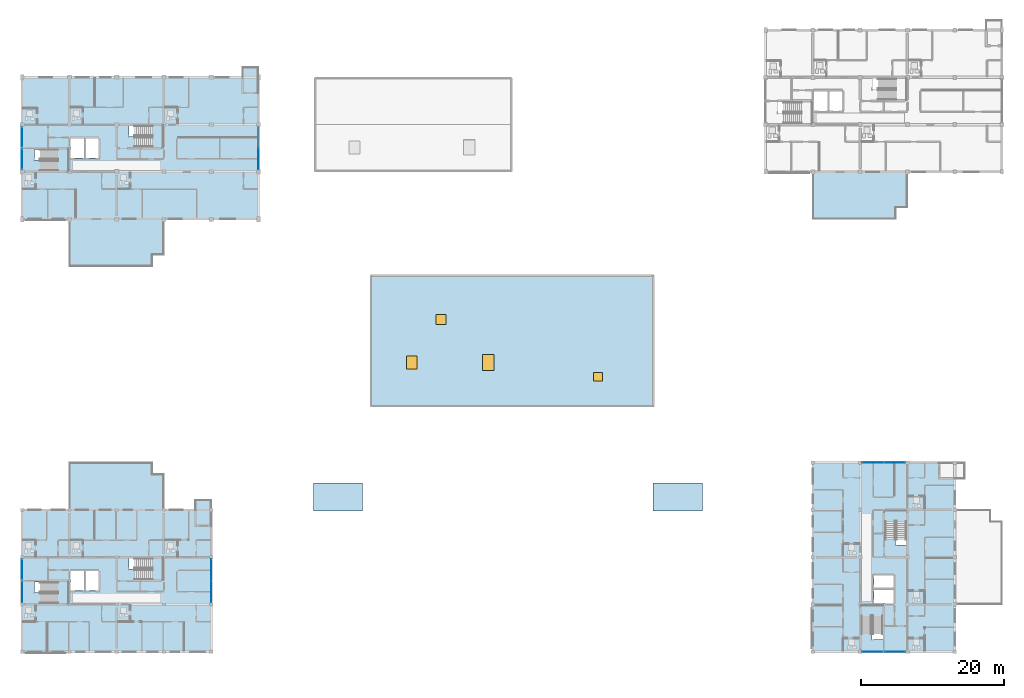
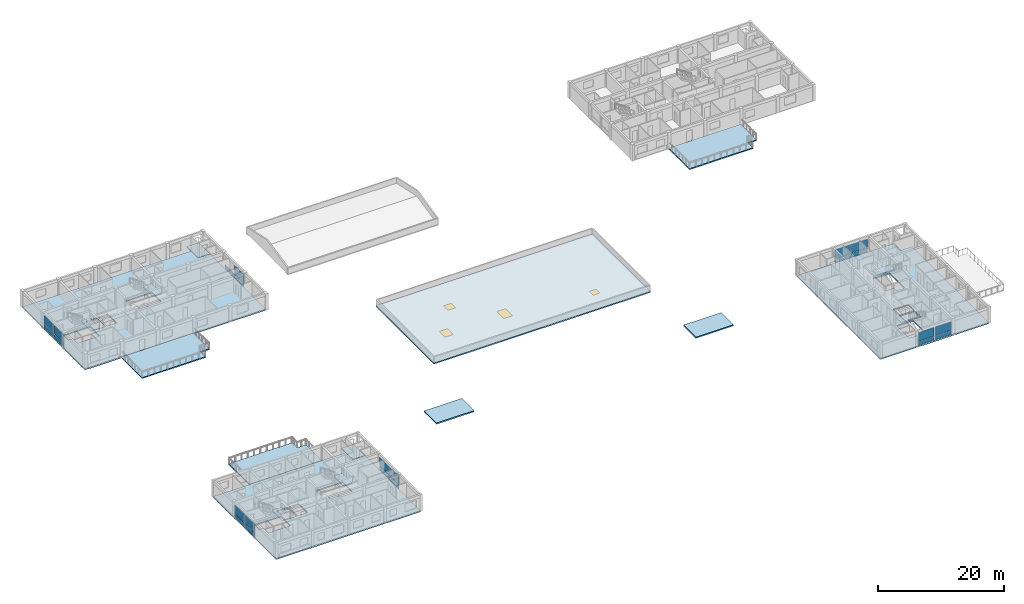
# One storey, part 24 of 51: 23 plates, 17 slabs, 4 windows, 4 openings, 15 elements without a shape of their own.
"""IFC4 building model written with IfcOpenShell, lengths in metres."""

from ifc_helpers import new_model, si_unit, direction, frame, origin, origin_2d, place, context, subcontext, project, spatial, polyline, rectangle, outline, extrude, material, layer, layer_set, type_object, element, fill, aggregate, save


model = new_model("IFC4")

# Units and contexts
model_context = context("Model", 3, precision=1e-05, world=origin(), true_north=direction((0.0, 1.0)))
body_context = subcontext(model_context, "Body", "Model", "MODEL_VIEW")
ifc_project = project(units=[si_unit("LENGTHUNIT", "METRE"), si_unit("AREAUNIT", "SQUARE_METRE"), si_unit("VOLUMEUNIT", "CUBIC_METRE"), si_unit("PLANEANGLEUNIT", "RADIAN"), si_unit("MASSUNIT", "GRAM", prefix="KILO")], contexts=[model_context])

# Site, building, storey
site_placement = place(None, origin())
site = spatial("IfcSite", under=ifc_project, at=site_placement, CompositionType="ELEMENT")
building_placement = place(site_placement, origin())
building = spatial("IfcBuilding", under=site, at=building_placement, Name="Kernevlak Ridge Housing Community", CompositionType="ELEMENT")
storey_placement = place(building_placement, frame((0.0, 0.0, 8.39990234375)))
storey = spatial("IfcBuildingStorey", under=building, at=storey_placement, Name="L02", CompositionType="ELEMENT", Elevation=8.39990234375)

# Curtain wall, plates
ifc_material_1 = material(Name="Aluminium EN AW-6060 anodised and laminated glass", Category="aluminium")
curtain_wall_type_1 = type_object("IfcCurtainWallType", Name="CW-12", PredefinedType="NOTDEFINED", material=ifc_material_1)
curtain_wall_1_placement = place(storey_placement, origin())
curtain_wall_1 = element("IfcCurtainWall", 1, at=curtain_wall_1_placement, inside=storey, type_object=curtain_wall_type_1, Name="Curtain wall CW-12 CW-L02-009", PredefinedType="NOTDEFINED")
ifc_material_2 = material(Name="Aluminium EN AW-5005 enamelled panel", Category="aluminium")
ifc_layer_1 = layer(ifc_material_2, 0.033935546875, Name="Aluminium EN AW-5005 enamelled panel")
ifc_layer_set_1 = layer_set([ifc_layer_1], Name="Aluminium EN AW-5005 enamelled panel")
plate_type_1 = type_object("IfcPlateType", Name="CP-03", PredefinedType="CURTAIN_PANEL", material=ifc_layer_set_1)
plate_1_placement = place(storey_placement, frame((48.60009765625, 84.413818359375, 0.05517578125), z_axis=(0.0, 0.0, 1.0), x_axis=(0.0, 1.0, 0.0)))
plate_1 = element("IfcPlate", 2, at=plate_1_placement, type_object=plate_type_1, Name="CW-12 panel 1.1", PredefinedType="CURTAIN_PANEL", context=body_context, shape_type="SweptSolid", body=[
    extrude(rectangle(XDim=2.91748046875, YDim=0.033935546875, at=origin_2d()), origin(), (0.0, 0.0, 1.0), 0.767578125),
])
plate_2_placement = place(storey_placement, frame((48.60009765625, 87.38623046875, 0.05517578125), z_axis=(0.0, 0.0, 1.0), x_axis=(0.0, 1.0, 0.0)))
plate_2 = element("IfcPlate", 3, at=plate_2_placement, type_object=plate_type_1, Name="CW-12 panel 2.1", PredefinedType="CURTAIN_PANEL", context=body_context, shape_type="SweptSolid", body=[
    extrude(rectangle(XDim=2.91748046875, YDim=0.033935546875, at=origin_2d()), origin(), (0.0, 0.0, 1.0), 0.767578125),
])

# Curtain wall, plate
curtain_wall_type_2 = type_object("IfcCurtainWallType", Name="CW-07", PredefinedType="NOTDEFINED", material=ifc_material_1)
curtain_wall_2_placement = place(storey_placement, origin())
curtain_wall_2 = element("IfcCurtainWall", 4, at=curtain_wall_2_placement, inside=storey, type_object=curtain_wall_type_2, Name="Curtain wall CW-07 CW-L02-106", PredefinedType="NOTDEFINED")
plate_3_placement = place(storey_placement, frame((134.320068359375, 15.60009765625, 0.06005859375), z_axis=(0.0, 0.0, 1.0), x_axis=(1.0, 0.0, 0.0)))
plate_3 = element("IfcPlate", 5, at=plate_3_placement, type_object=plate_type_1, Name="CW-07 panel 1.1", PredefinedType="CURTAIN_PANEL", context=body_context, shape_type="SweptSolid", body=[
    extrude(rectangle(XDim=2.820068359375, YDim=0.033935546875, at=origin_2d()), origin(), (0.0, 0.0, 1.0), 0.760009765625),
])

curtain_wall_3_placement = place(storey_placement, origin())
curtain_wall_3 = element("IfcCurtainWall", 6, at=curtain_wall_3_placement, inside=storey, type_object=curtain_wall_type_1, Name="Curtain wall CW-12 CW-L02-107", PredefinedType="NOTDEFINED")
ifc_layer_2 = layer(ifc_material_2, 0.0380859375, Name="Aluminium EN AW-5005 enamelled panel")
ifc_layer_set_2 = layer_set([ifc_layer_2], Name="Aluminium EN AW-5005 enamelled panel")
plate_type_2 = type_object("IfcPlateType", Name="CP-04", PredefinedType="CURTAIN_PANEL", material=ifc_layer_set_2)
plate_4_placement = place(storey_placement, frame((137.47998046875, 15.60009765625, 0.065185546875), z_axis=(0.0, 0.0, 1.0), x_axis=(1.0, 0.0, 0.0)))
plate_4 = element("IfcPlate", 7, at=plate_4_placement, type_object=plate_type_2, Name="CW-12 panel 1.1", PredefinedType="CURTAIN_PANEL", context=body_context, shape_type="SweptSolid", body=[
    extrude(rectangle(XDim=2.81005859375, YDim=0.0380859375, at=origin_2d()), origin(), (0.0, 0.0, 1.0), 0.75244140625),
])

curtain_wall_type_3 = type_object("IfcCurtainWallType", Name="CW-10", PredefinedType="NOTDEFINED", material=ifc_material_1)
curtain_wall_4_placement = place(storey_placement, origin())
curtain_wall_4 = element("IfcCurtainWall", 8, at=curtain_wall_4_placement, inside=storey, type_object=curtain_wall_type_3, Name="Curtain wall CW-10 CW-L02-145", PredefinedType="NOTDEFINED")
plate_5_placement = place(storey_placement, frame((15.60009765625, 23.907470703125, 0.06005859375), z_axis=(0.0, 0.0, 1.0), x_axis=(0.0, 1.0, 0.0)))
plate_5 = element("IfcPlate", 9, at=plate_5_placement, type_object=plate_type_2, Name="CW-10 panel 1.1", PredefinedType="CURTAIN_PANEL", context=body_context, shape_type="SweptSolid", body=[
    extrude(rectangle(XDim=2.844970703125, YDim=0.0380859375, at=origin_2d()), origin(), (0.0, 0.0, 1.0), 0.760009765625),
])

# Curtain wall, plates
curtain_wall_type_4 = type_object("IfcCurtainWallType", Name="CW-02", PredefinedType="NOTDEFINED", material=ifc_material_1)
curtain_wall_5_placement = place(storey_placement, origin())
curtain_wall_5 = element("IfcCurtainWall", 10, at=curtain_wall_5_placement, inside=storey, type_object=curtain_wall_type_4, Name="Curtain wall CW-02 CW-L02-108", PredefinedType="NOTDEFINED")
ifc_layer_3 = layer(ifc_material_2, 0.0419921875, Name="Aluminium EN AW-5005 enamelled panel")
ifc_layer_set_3 = layer_set([ifc_layer_3], Name="Aluminium EN AW-5005 enamelled panel")
plate_type_3 = type_object("IfcPlateType", Name="CP-05", PredefinedType="CURTAIN_PANEL", material=ifc_layer_set_3)
plate_6_placement = place(storey_placement, frame((134.388671875, 42.0, 0.05517578125), z_axis=(0.0, 0.0, 1.0), x_axis=(1.0, 0.0, 0.0)))
plate_6 = element("IfcPlate", 11, at=plate_6_placement, type_object=plate_type_3, Name="CW-02 panel 1.1", PredefinedType="CURTAIN_PANEL", context=body_context, shape_type="SweptSolid", body=[
    extrude(rectangle(XDim=2.967529296875, YDim=0.0419921875, at=origin_2d()), origin(), (0.0, 0.0, 1.0), 0.767578125),
])
plate_7_placement = place(storey_placement, frame((137.4111328125, 42.0, 0.05517578125), z_axis=(0.0, 0.0, 1.0), x_axis=(1.0, 0.0, 0.0)))
plate_7 = element("IfcPlate", 12, at=plate_7_placement, type_object=plate_type_3, Name="CW-02 panel 2.1", PredefinedType="CURTAIN_PANEL", context=body_context, shape_type="SweptSolid", body=[
    extrude(rectangle(XDim=2.967529296875, YDim=0.0419921875, at=origin_2d()), origin(), (0.0, 0.0, 1.0), 0.767578125),
])

# Curtain wall, plate
curtain_wall_type_5 = type_object("IfcCurtainWallType", Name="CW-01", PredefinedType="NOTDEFINED", material=ifc_material_1)
curtain_wall_6_placement = place(storey_placement, origin())
curtain_wall_6 = element("IfcCurtainWall", 13, at=curtain_wall_6_placement, inside=storey, type_object=curtain_wall_type_5, Name="Curtain wall CW-01 CW-L02-146", PredefinedType="NOTDEFINED")
plate_8_placement = place(storey_placement, frame((15.60009765625, 27.092529296875, 0.065185546875), z_axis=(0.0, 0.0, 1.0), x_axis=(0.0, 1.0, 0.0)))
plate_8 = element("IfcPlate", 14, at=plate_8_placement, type_object=plate_type_3, Name="CW-01 panel 1.1", PredefinedType="CURTAIN_PANEL", context=body_context, shape_type="SweptSolid", body=[
    extrude(rectangle(XDim=2.8349609375, YDim=0.0419921875, at=origin_2d()), origin(), (0.0, 0.0, 1.0), 0.75244140625),
])

curtain_wall_7_placement = place(storey_placement, origin())
curtain_wall_7 = element("IfcCurtainWall", 15, at=curtain_wall_7_placement, inside=storey, type_object=curtain_wall_type_5, Name="Curtain wall CW-01 CW-L02-007", PredefinedType="NOTDEFINED")
ifc_material_3 = material(Name="Aluminium EN AW-5005 insulated panel", Category="aluminium")
ifc_layer_4 = layer(ifc_material_3, 0.0458984375, Name="Aluminium EN AW-5005 insulated panel")
ifc_layer_set_4 = layer_set([ifc_layer_4], Name="Aluminium EN AW-5005 insulated panel")
plate_type_4 = type_object("IfcPlateType", Name="CP-06", PredefinedType="CURTAIN_PANEL", material=ifc_layer_set_4)
plate_9_placement = place(storey_placement, frame((15.60009765625, 84.344970703125, 0.06005859375), z_axis=(0.0, 0.0, 1.0), x_axis=(0.0, 1.0, 0.0)))
plate_9 = element("IfcPlate", 16, at=plate_9_placement, type_object=plate_type_4, Name="CW-01 panel 1.1", PredefinedType="CURTAIN_PANEL", context=body_context, shape_type="SweptSolid", body=[
    extrude(rectangle(XDim=2.77001953125, YDim=0.0458984375, at=origin_2d()), origin(), (0.0, 0.0, 1.0), 0.760009765625),
])

# Curtain wall, plates
curtain_wall_type_6 = type_object("IfcCurtainWallType", Name="CW-04", PredefinedType="NOTDEFINED", material=ifc_material_1)
curtain_wall_8_placement = place(storey_placement, origin())
curtain_wall_8 = element("IfcCurtainWall", 17, at=curtain_wall_8_placement, inside=storey, type_object=curtain_wall_type_6, Name="Curtain wall CW-04 CW-L02-147", PredefinedType="NOTDEFINED")
plate_10_placement = place(storey_placement, frame((42.0, 23.976318359375, 0.05517578125), z_axis=(0.0, 0.0, 1.0), x_axis=(0.0, 1.0, 0.0)))
plate_10 = element("IfcPlate", 18, at=plate_10_placement, type_object=plate_type_4, Name="CW-04 panel 1.1", PredefinedType="CURTAIN_PANEL", context=body_context, shape_type="SweptSolid", body=[
    extrude(rectangle(XDim=2.992431640625, YDim=0.0458984375, at=origin_2d()), origin(), (0.0, 0.0, 1.0), 0.767578125),
])
plate_11_placement = place(storey_placement, frame((42.0, 27.023681640625, 0.05517578125), z_axis=(0.0, 0.0, 1.0), x_axis=(0.0, 1.0, 0.0)))
plate_11 = element("IfcPlate", 19, at=plate_11_placement, type_object=plate_type_4, Name="CW-04 panel 2.1", PredefinedType="CURTAIN_PANEL", context=body_context, shape_type="SweptSolid", body=[
    extrude(rectangle(XDim=2.992431640625, YDim=0.0458984375, at=origin_2d()), origin(), (0.0, 0.0, 1.0), 0.767578125),
])

# Curtain wall, plate
curtain_wall_type_7 = type_object("IfcCurtainWallType", Name="CW-06", PredefinedType="NOTDEFINED", material=ifc_material_1)
curtain_wall_9_placement = place(storey_placement, origin())
curtain_wall_9 = element("IfcCurtainWall", 20, at=curtain_wall_9_placement, inside=storey, type_object=curtain_wall_type_7, Name="Curtain wall CW-06 CW-L02-008", PredefinedType="NOTDEFINED")
ifc_layer_5 = layer(ifc_material_3, 0.050048828125, Name="Aluminium EN AW-5005 insulated panel")
ifc_layer_set_5 = layer_set([ifc_layer_5], Name="Aluminium EN AW-5005 insulated panel")
plate_type_5 = type_object("IfcPlateType", Name="CP-07", PredefinedType="CURTAIN_PANEL", material=ifc_layer_set_5)
plate_12_placement = place(storey_placement, frame((15.60009765625, 87.455078125, 0.065185546875), z_axis=(0.0, 0.0, 1.0), x_axis=(0.0, 1.0, 0.0)))
plate_12 = element("IfcPlate", 21, at=plate_12_placement, type_object=plate_type_5, Name="CW-06 panel 1.1", PredefinedType="CURTAIN_PANEL", context=body_context, shape_type="SweptSolid", body=[
    extrude(rectangle(XDim=2.760009765625, YDim=0.050048828125, at=origin_2d()), origin(), (0.0, 0.0, 1.0), 0.75244140625),
])

# Plate
ifc_material_4 = material(Name="Low-iron clear staircase glazing panel", Category="glass")
ifc_layer_6 = layer(ifc_material_4, 0.031982421875, Name="Low-iron clear staircase glazing panel")
ifc_layer_set_6 = layer_set([ifc_layer_6], Name="Low-iron clear staircase glazing panel")
plate_type_6 = type_object("IfcPlateType", Name="CP-08", PredefinedType="CURTAIN_PANEL", material=ifc_layer_set_6)
plate_13_placement = place(storey_placement, frame((15.60009765625, 84.344970703125, 0.88037109375), z_axis=(0.0, 0.0, 1.0), x_axis=(0.0, 1.0, 0.0)))
plate_13 = element("IfcPlate", 22, at=plate_13_placement, type_object=plate_type_6, Name="CW-01 panel 1.2", PredefinedType="CURTAIN_PANEL", context=body_context, shape_type="SweptSolid", body=[
    extrude(rectangle(XDim=2.77001953125, YDim=0.031982421875, at=origin_2d()), origin(), (0.0, 0.0, 1.0), 1.659912109375),
])

aggregate(curtain_wall_7, [plate_9, plate_13])

plate_14_placement = place(storey_placement, frame((15.60009765625, 87.455078125, 0.88232421875), z_axis=(0.0, 0.0, 1.0), x_axis=(0.0, 1.0, 0.0)))
plate_14 = element("IfcPlate", 23, at=plate_14_placement, type_object=plate_type_6, Name="CW-06 panel 1.2", PredefinedType="CURTAIN_PANEL", context=body_context, shape_type="SweptSolid", body=[
    extrude(rectangle(XDim=2.760009765625, YDim=0.031982421875, at=origin_2d()), origin(), (0.0, 0.0, 1.0), 1.652587890625),
])

aggregate(curtain_wall_9, [plate_12, plate_14])

plate_15_placement = place(storey_placement, frame((48.60009765625, 84.413818359375, 0.877685546875), z_axis=(0.0, 0.0, 1.0), x_axis=(0.0, 1.0, 0.0)))
plate_15 = element("IfcPlate", 24, at=plate_15_placement, type_object=plate_type_6, Name="CW-12 panel 1.2", PredefinedType="CURTAIN_PANEL", context=body_context, shape_type="SweptSolid", body=[
    extrude(rectangle(XDim=2.91748046875, YDim=0.031982421875, at=origin_2d()), origin(), (0.0, 0.0, 1.0), 1.66748046875),
])

aggregate(curtain_wall_1, [plate_1, plate_15, plate_2])

plate_16_placement = place(storey_placement, frame((134.320068359375, 15.60009765625, 0.88037109375), z_axis=(0.0, 0.0, 1.0), x_axis=(1.0, 0.0, 0.0)))
plate_16 = element("IfcPlate", 25, at=plate_16_placement, type_object=plate_type_6, Name="CW-07 panel 1.2", PredefinedType="CURTAIN_PANEL", context=body_context, shape_type="SweptSolid", body=[
    extrude(rectangle(XDim=2.820068359375, YDim=0.031982421875, at=origin_2d()), origin(), (0.0, 0.0, 1.0), 1.659912109375),
])

aggregate(curtain_wall_2, [plate_3, plate_16])

plate_17_placement = place(storey_placement, frame((137.47998046875, 15.60009765625, 0.88232421875), z_axis=(0.0, 0.0, 1.0), x_axis=(1.0, 0.0, 0.0)))
plate_17 = element("IfcPlate", 26, at=plate_17_placement, type_object=plate_type_6, Name="CW-12 panel 1.2", PredefinedType="CURTAIN_PANEL", context=body_context, shape_type="SweptSolid", body=[
    extrude(rectangle(XDim=2.81005859375, YDim=0.031982421875, at=origin_2d()), origin(), (0.0, 0.0, 1.0), 1.652587890625),
])

aggregate(curtain_wall_3, [plate_4, plate_17])

plate_18_placement = place(storey_placement, frame((134.388671875, 42.0, 0.877685546875), z_axis=(0.0, 0.0, 1.0), x_axis=(1.0, 0.0, 0.0)))
plate_18 = element("IfcPlate", 27, at=plate_18_placement, type_object=plate_type_6, Name="CW-02 panel 1.2", PredefinedType="CURTAIN_PANEL", context=body_context, shape_type="SweptSolid", body=[
    extrude(rectangle(XDim=2.967529296875, YDim=0.031982421875, at=origin_2d()), origin(), (0.0, 0.0, 1.0), 1.66748046875),
])

plate_19_placement = place(storey_placement, frame((137.4111328125, 42.0, 0.877685546875), z_axis=(0.0, 0.0, 1.0), x_axis=(1.0, 0.0, 0.0)))
plate_19 = element("IfcPlate", 28, at=plate_19_placement, type_object=plate_type_6, Name="CW-02 panel 2.2", PredefinedType="CURTAIN_PANEL", context=body_context, shape_type="SweptSolid", body=[
    extrude(rectangle(XDim=2.967529296875, YDim=0.031982421875, at=origin_2d()), origin(), (0.0, 0.0, 1.0), 1.66748046875),
])

aggregate(curtain_wall_5, [plate_6, plate_18, plate_7, plate_19])

plate_20_placement = place(storey_placement, frame((15.60009765625, 23.907470703125, 0.88037109375), z_axis=(0.0, 0.0, 1.0), x_axis=(0.0, 1.0, 0.0)))
plate_20 = element("IfcPlate", 29, at=plate_20_placement, type_object=plate_type_6, Name="CW-10 panel 1.2", PredefinedType="CURTAIN_PANEL", context=body_context, shape_type="SweptSolid", body=[
    extrude(rectangle(XDim=2.844970703125, YDim=0.031982421875, at=origin_2d()), origin(), (0.0, 0.0, 1.0), 1.659912109375),
])

aggregate(curtain_wall_4, [plate_5, plate_20])

plate_21_placement = place(storey_placement, frame((15.60009765625, 27.092529296875, 0.88232421875), z_axis=(0.0, 0.0, 1.0), x_axis=(0.0, 1.0, 0.0)))
plate_21 = element("IfcPlate", 30, at=plate_21_placement, type_object=plate_type_6, Name="CW-01 panel 1.2", PredefinedType="CURTAIN_PANEL", context=body_context, shape_type="SweptSolid", body=[
    extrude(rectangle(XDim=2.8349609375, YDim=0.031982421875, at=origin_2d()), origin(), (0.0, 0.0, 1.0), 1.652587890625),
])

aggregate(curtain_wall_6, [plate_8, plate_21])

plate_22_placement = place(storey_placement, frame((42.0, 23.976318359375, 0.877685546875), z_axis=(0.0, 0.0, 1.0), x_axis=(0.0, 1.0, 0.0)))
plate_22 = element("IfcPlate", 31, at=plate_22_placement, type_object=plate_type_6, Name="CW-04 panel 1.2", PredefinedType="CURTAIN_PANEL", context=body_context, shape_type="SweptSolid", body=[
    extrude(rectangle(XDim=2.992431640625, YDim=0.031982421875, at=origin_2d()), origin(), (0.0, 0.0, 1.0), 1.66748046875),
])

plate_23_placement = place(storey_placement, frame((42.0, 27.023681640625, 0.877685546875), z_axis=(0.0, 0.0, 1.0), x_axis=(0.0, 1.0, 0.0)))
plate_23 = element("IfcPlate", 32, at=plate_23_placement, type_object=plate_type_6, Name="CW-04 panel 2.2", PredefinedType="CURTAIN_PANEL", context=body_context, shape_type="SweptSolid", body=[
    extrude(rectangle(XDim=2.992431640625, YDim=0.031982421875, at=origin_2d()), origin(), (0.0, 0.0, 1.0), 1.66748046875),
])

aggregate(curtain_wall_8, [plate_10, plate_22, plate_11, plate_23])

# Slabs
ifc_material_5 = material(Name="Concrete C35/45", Category="concrete")
ifc_layer_7 = layer(ifc_material_5, 0.239990234375, Name="Concrete C35/45")
ifc_layer_set_7 = layer_set([ifc_layer_7], Name="Concrete C35/45")
slab_type_1 = type_object("IfcSlabType", Name="SL-03", PredefinedType="FLOOR", material=ifc_layer_set_7)
slab_1_placement = place(storey_placement, frame((0.0, 0.0, -0.239990234375)))
element("IfcSlab", 33, at=slab_1_placement, inside=storey, type_object=slab_type_1, Name="Block A level L02 floor slab", PredefinedType="FLOOR", context=body_context, shape_type="SweptSolid", body=[
    extrude(outline(polyline([(15.60009765625, 76.0), (48.60009765625, 76.0), (48.60009765625, 93.60009765625), (46.39990234375, 93.60009765625), (46.39990234375, 95.800048828125), (15.60009765625, 95.800048828125), (15.60009765625, 76.0)]), holes=[polyline([(18.139892578125, 84.25), (17.300048828125, 84.25), (17.300048828125, 85.75), (22.1201171875, 85.75), (22.1201171875, 82.75), (18.139892578125, 82.75), (18.139892578125, 84.25)]), polyline([(31.340087890625, 87.550048828125), (30.5, 87.550048828125), (30.5, 89.050048828125), (35.320068359375, 89.050048828125), (35.320068359375, 86.050048828125), (31.340087890625, 86.050048828125), (31.340087890625, 87.550048828125)]), polyline([(22.320068359375, 87.280029296875), (24.280029296875, 87.280029296875), (24.280029296875, 84.52001953125), (22.320068359375, 84.52001953125), (22.320068359375, 87.280029296875)]), polyline([(24.52001953125, 87.280029296875), (26.280029296875, 87.280029296875), (26.280029296875, 84.52001953125), (24.52001953125, 84.52001953125), (24.52001953125, 87.280029296875)])]), origin(), (0.0, 0.0, 1.0), 0.239990234375),
])
slab_2_placement = place(storey_placement, frame((0.0, 0.0, -0.239990234375)))
element("IfcSlab", 34, at=slab_2_placement, inside=storey, type_object=slab_type_1, Name="Block C level L02 floor slab", PredefinedType="FLOOR", context=body_context, shape_type="SweptSolid", body=[
    extrude(outline(polyline([(145.800048828125, 15.60009765625), (145.800048828125, 39.800048828125), (143.60009765625, 39.800048828125), (143.60009765625, 42.0), (126.0, 42.0), (126.0, 15.60009765625), (145.800048828125, 15.60009765625)]), holes=[polyline([(132.75, 18.139892578125), (132.75, 22.1201171875), (135.75, 22.1201171875), (135.75, 17.300048828125), (134.25, 17.300048828125), (134.25, 18.139892578125), (132.75, 18.139892578125)]), polyline([(136.050048828125, 31.340087890625), (136.050048828125, 35.320068359375), (139.050048828125, 35.320068359375), (139.050048828125, 30.5), (137.550048828125, 30.5), (137.550048828125, 31.340087890625), (136.050048828125, 31.340087890625)]), polyline([(134.52001953125, 24.280029296875), (137.280029296875, 24.280029296875), (137.280029296875, 22.320068359375), (134.52001953125, 22.320068359375), (134.52001953125, 24.280029296875)]), polyline([(134.52001953125, 26.280029296875), (137.280029296875, 26.280029296875), (137.280029296875, 24.52001953125), (134.52001953125, 24.52001953125), (134.52001953125, 26.280029296875)])]), origin(), (0.0, 0.0, 1.0), 0.239990234375),
])
slab_3_placement = place(storey_placement, frame((0.0, 0.0, -0.239990234375)))
element("IfcSlab", 35, at=slab_3_placement, inside=storey, type_object=slab_type_1, Name="Block D level L02 floor slab", PredefinedType="FLOOR", context=body_context, shape_type="SweptSolid", body=[
    extrude(outline(polyline([(15.60009765625, 15.60009765625), (42.0, 15.60009765625), (42.0, 33.199951171875), (39.800048828125, 33.199951171875), (39.800048828125, 35.39990234375), (15.60009765625, 35.39990234375), (15.60009765625, 15.60009765625)]), holes=[polyline([(18.139892578125, 23.85009765625), (17.300048828125, 23.85009765625), (17.300048828125, 25.35009765625), (22.1201171875, 25.35009765625), (22.1201171875, 22.35009765625), (18.139892578125, 22.35009765625), (18.139892578125, 23.85009765625)]), polyline([(31.340087890625, 27.14990234375), (30.5, 27.14990234375), (30.5, 28.64990234375), (35.320068359375, 28.64990234375), (35.320068359375, 25.64990234375), (31.340087890625, 25.64990234375), (31.340087890625, 27.14990234375)]), polyline([(22.320068359375, 26.8798828125), (24.280029296875, 26.8798828125), (24.280029296875, 24.1201171875), (22.320068359375, 24.1201171875), (22.320068359375, 26.8798828125)]), polyline([(24.52001953125, 26.8798828125), (26.280029296875, 26.8798828125), (26.280029296875, 24.1201171875), (24.52001953125, 24.1201171875), (24.52001953125, 26.8798828125)])]), origin(), (0.0, 0.0, 1.0), 0.239990234375),
])
ifc_layer_8 = layer(ifc_material_5, 0.199951171875, Name="Concrete C35/45")
ifc_layer_set_8 = layer_set([ifc_layer_8], Name="Concrete C35/45")
slab_type_2 = type_object("IfcSlabType", Name="SL-05", PredefinedType="FLOOR", material=ifc_layer_set_8)
slab_4_placement = place(storey_placement, frame((0.0, 0.0, -0.199951171875)))
element("IfcSlab", 36, at=slab_4_placement, inside=storey, type_object=slab_type_2, Name="Block A L02 corner balcony deck slab", PredefinedType="FLOOR", context=body_context, shape_type="SweptSolid", body=[
    extrude(outline(polyline([(46.39990234375, 93.60009765625), (48.60009765625, 93.60009765625), (48.60009765625, 97.199951171875), (46.39990234375, 97.199951171875), (46.39990234375, 93.60009765625)])), origin(), (0.0, 0.0, 1.0), 0.199951171875),
])
slab_5_placement = place(storey_placement, frame((0.0, 0.0, -0.199951171875)))
element("IfcSlab", 37, at=slab_5_placement, inside=storey, type_object=slab_type_2, Name="Block D L02 corner balcony deck slab", PredefinedType="FLOOR", context=body_context, shape_type="SweptSolid", body=[
    extrude(outline(polyline([(39.800048828125, 33.199951171875), (42.0, 33.199951171875), (42.0, 36.800048828125), (39.800048828125, 36.800048828125), (39.800048828125, 33.199951171875)])), origin(), (0.0, 0.0, 1.0), 0.199951171875),
])
ifc_layer_9 = layer(ifc_material_5, 0.239990234375, Name="Concrete C35/45")
ifc_layer_set_9 = layer_set([ifc_layer_9], Name="Concrete C35/45")
slab_type_3 = type_object("IfcSlabType", Name="SL-08", PredefinedType="ROOF", material=ifc_layer_set_9)
slab_6_placement = place(storey_placement, frame((0.0, 0.0, -0.239990234375)))
element("IfcSlab", 38, at=slab_6_placement, inside=storey, type_object=slab_type_3, Name="Podium stair ST-P1 roof slab", PredefinedType="ROOF", context=body_context, shape_type="SweptSolid", body=[
    extrude(outline(polyline([(56.25, 35.25), (63.14990234375, 35.25), (63.14990234375, 39.14990234375), (56.25, 39.14990234375), (56.25, 35.25)])), origin(), (0.0, 0.0, 1.0), 0.239990234375),
])
slab_7_placement = place(storey_placement, frame((0.0, 0.0, -0.239990234375)))
element("IfcSlab", 39, at=slab_7_placement, inside=storey, type_object=slab_type_3, Name="Podium stair ST-P2 roof slab", PredefinedType="ROOF", context=body_context, shape_type="SweptSolid", body=[
    extrude(outline(polyline([(103.64990234375, 35.25), (110.550048828125, 35.25), (110.550048828125, 39.14990234375), (103.64990234375, 39.14990234375), (103.64990234375, 35.25)])), origin(), (0.0, 0.0, 1.0), 0.239990234375),
])

# Slab, openings, windows
slab_8_placement = place(storey_placement, frame((0.0, 0.0, -0.239990234375)))
slab_8 = element("IfcSlab", 40, at=slab_8_placement, inside=storey, type_object=slab_type_3, Name="Community Hall flat roof slab", PredefinedType="ROOF", context=body_context, shape_type="SweptSolid", body=[
    extrude(outline(polyline([(64.199951171875, 49.800048828125), (103.800048828125, 49.800048828125), (103.800048828125, 68.199951171875), (64.199951171875, 68.199951171875), (64.199951171875, 49.800048828125)])), origin(), (0.0, 0.0, 1.0), 0.239990234375),
])
opening_1_placement = place(slab_8_placement, frame((70.0, 56.0, -0.010009765625)))
opening_1 = element("IfcOpeningElement", 41, at=opening_1_placement, cuts=slab_8, Name="Opening SK-03", PredefinedType="OPENING", context=body_context, shape_type="SweptSolid", body=[
    extrude(rectangle(XDim=1.5, YDim=1.800048828125, at=origin_2d()), origin(), (0.0, 0.0, 1.0), 0.260009765625),
])
opening_2_placement = place(slab_8_placement, frame((80.699951171875, 56.0, -0.010009765625)))
opening_2 = element("IfcOpeningElement", 42, at=opening_2_placement, cuts=slab_8, Name="Opening SK-04", PredefinedType="OPENING", context=body_context, shape_type="SweptSolid", body=[
    extrude(rectangle(XDim=1.60009765625, YDim=2.199951171875, at=origin_2d()), origin(), (0.0, 0.0, 1.0), 0.260009765625),
])
opening_3_placement = place(slab_8_placement, frame((96.0, 54.0, -0.010009765625)))
opening_3 = element("IfcOpeningElement", 43, at=opening_3_placement, cuts=slab_8, Name="Opening SK-01", PredefinedType="OPENING", context=body_context, shape_type="SweptSolid", body=[
    extrude(rectangle(XDim=1.199951171875, YDim=1.199951171875, at=origin_2d()), origin(), (0.0, 0.0, 1.0), 0.260009765625),
])
opening_4_placement = place(slab_8_placement, frame((74.10009765625, 62.0, -0.010009765625)))
opening_4 = element("IfcOpeningElement", 44, at=opening_4_placement, cuts=slab_8, Name="Opening SK-02", PredefinedType="OPENING", context=body_context, shape_type="SweptSolid", body=[
    extrude(rectangle(XDim=1.39990234375, YDim=1.39990234375, at=origin_2d()), origin(), (0.0, 0.0, 1.0), 0.260009765625),
])
ifc_material_6 = material(Name="Aluminium EN AW-6060 and laminated skylight glass", Category="aluminium")
window_type_1 = type_object("IfcWindowType", Name="SK-01", PartitioningType="SINGLE_PANEL", PredefinedType="SKYLIGHT", material=ifc_material_6)
window_1_placement = place(slab_8_placement, frame((96.0, 54.0, 0.18994140625)))
window_1 = element("IfcWindow", 45, at=window_1_placement, inside=storey, type_object=window_type_1, Name="Community Hall roof skylight 3", OverallHeight=1.199951171875, OverallWidth=1.199951171875, PartitioningType="SINGLE_PANEL", PredefinedType="SKYLIGHT", context=body_context, shape_type="SweptSolid", body=[
    extrude(rectangle(XDim=1.199951171875, YDim=1.199951171875, at=origin_2d()), origin(), (0.0, 0.0, 1.0), 0.050048828125),
])
fill(opening_3, window_1)
window_type_2 = type_object("IfcWindowType", Name="SK-02", PartitioningType="SINGLE_PANEL", PredefinedType="SKYLIGHT", material=ifc_material_6)
window_2_placement = place(slab_8_placement, frame((74.10009765625, 62.0, 0.18994140625)))
window_2 = element("IfcWindow", 46, at=window_2_placement, inside=storey, type_object=window_type_2, Name="Community Hall roof skylight 4", OverallHeight=1.39990234375, OverallWidth=1.39990234375, PartitioningType="SINGLE_PANEL", PredefinedType="SKYLIGHT", context=body_context, shape_type="SweptSolid", body=[
    extrude(rectangle(XDim=1.39990234375, YDim=1.39990234375, at=origin_2d()), origin(), (0.0, 0.0, 1.0), 0.050048828125),
])
fill(opening_4, window_2)
window_type_3 = type_object("IfcWindowType", Name="SK-03", PartitioningType="SINGLE_PANEL", PredefinedType="SKYLIGHT", material=ifc_material_6)
window_3_placement = place(slab_8_placement, frame((70.0, 56.0, 0.18994140625)))
window_3 = element("IfcWindow", 47, at=window_3_placement, inside=storey, type_object=window_type_3, Name="Community Hall roof skylight 1", OverallHeight=1.800048828125, OverallWidth=1.5, PartitioningType="SINGLE_PANEL", PredefinedType="SKYLIGHT", context=body_context, shape_type="SweptSolid", body=[
    extrude(rectangle(XDim=1.5, YDim=1.800048828125, at=origin_2d()), origin(), (0.0, 0.0, 1.0), 0.050048828125),
])
fill(opening_1, window_3)
window_type_4 = type_object("IfcWindowType", Name="SK-04", PartitioningType="SINGLE_PANEL", PredefinedType="SKYLIGHT", material=ifc_material_6)
window_4_placement = place(slab_8_placement, frame((80.699951171875, 56.0, 0.18994140625)))
window_4 = element("IfcWindow", 48, at=window_4_placement, inside=storey, type_object=window_type_4, Name="Community Hall roof skylight 2", OverallHeight=2.199951171875, OverallWidth=1.60009765625, PartitioningType="SINGLE_PANEL", PredefinedType="SKYLIGHT", context=body_context, shape_type="SweptSolid", body=[
    extrude(rectangle(XDim=1.60009765625, YDim=2.199951171875, at=origin_2d()), origin(), (0.0, 0.0, 1.0), 0.050048828125),
])
fill(opening_2, window_4)

# Stair, slab
stair_type = type_object("IfcStairType", Name="SR-01", PredefinedType="HALF_TURN_STAIR", material=ifc_material_5)
stair_1_placement = place(storey_placement, origin())
stair_1 = element("IfcStair", 49, at=stair_1_placement, inside=storey, type_object=stair_type, Name="Stair ST-A1 L02", PredefinedType="HALF_TURN_STAIR")
ifc_layer_10 = layer(ifc_material_5, 0.18994140625, Name="Concrete C35/45")
ifc_layer_set_10 = layer_set([ifc_layer_10], Name="Concrete C35/45")
slab_type_4 = type_object("IfcSlabType", Name="SL-13", PredefinedType="LANDING", material=ifc_layer_set_10)
slab_9_placement = place(storey_placement, frame((0.0, 0.0, 1.41015625)))
slab_9 = element("IfcSlab", 50, at=slab_9_placement, type_object=slab_type_4, Name="SR-01 landing 1", PredefinedType="LANDING", context=body_context, shape_type="SweptSolid", body=[
    extrude(outline(polyline([(20.5400390625, 82.64990234375), (22.14990234375, 82.64990234375), (22.14990234375, 85.85009765625), (20.5400390625, 85.85009765625), (20.5400390625, 82.64990234375)])), origin(), (0.0, 0.0, 1.0), 0.18994140625),
])
aggregate(stair_1, [slab_9])

stair_2_placement = place(storey_placement, origin())
stair_2 = element("IfcStair", 51, at=stair_2_placement, inside=storey, type_object=stair_type, Name="Stair ST-A2 L02", PredefinedType="HALF_TURN_STAIR")
slab_10_placement = place(storey_placement, frame((0.0, 0.0, 1.41015625)))
slab_10 = element("IfcSlab", 52, at=slab_10_placement, type_object=slab_type_4, Name="SR-01 landing 1", PredefinedType="LANDING", context=body_context, shape_type="SweptSolid", body=[
    extrude(outline(polyline([(33.739990234375, 85.949951171875), (35.35009765625, 85.949951171875), (35.35009765625, 89.14990234375), (33.739990234375, 89.14990234375), (33.739990234375, 85.949951171875)])), origin(), (0.0, 0.0, 1.0), 0.18994140625),
])
aggregate(stair_2, [slab_10])

stair_3_placement = place(storey_placement, origin())
stair_3 = element("IfcStair", 53, at=stair_3_placement, inside=storey, type_object=stair_type, Name="Stair ST-C1 L02", PredefinedType="HALF_TURN_STAIR")
slab_11_placement = place(storey_placement, frame((0.0, 0.0, 1.41015625)))
slab_11 = element("IfcSlab", 54, at=slab_11_placement, type_object=slab_type_4, Name="SR-01 landing 1", PredefinedType="LANDING", context=body_context, shape_type="SweptSolid", body=[
    extrude(outline(polyline([(135.85009765625, 20.5400390625), (135.85009765625, 22.14990234375), (132.64990234375, 22.14990234375), (132.64990234375, 20.5400390625), (135.85009765625, 20.5400390625)])), origin(), (0.0, 0.0, 1.0), 0.18994140625),
])
aggregate(stair_3, [slab_11])

stair_4_placement = place(storey_placement, origin())
stair_4 = element("IfcStair", 55, at=stair_4_placement, inside=storey, type_object=stair_type, Name="Stair ST-C2 L02", PredefinedType="HALF_TURN_STAIR")
slab_12_placement = place(storey_placement, frame((0.0, 0.0, 1.41015625)))
slab_12 = element("IfcSlab", 56, at=slab_12_placement, type_object=slab_type_4, Name="SR-01 landing 1", PredefinedType="LANDING", context=body_context, shape_type="SweptSolid", body=[
    extrude(outline(polyline([(139.14990234375, 33.739990234375), (139.14990234375, 35.35009765625), (135.949951171875, 35.35009765625), (135.949951171875, 33.739990234375), (139.14990234375, 33.739990234375)])), origin(), (0.0, 0.0, 1.0), 0.18994140625),
])
aggregate(stair_4, [slab_12])

stair_5_placement = place(storey_placement, origin())
stair_5 = element("IfcStair", 57, at=stair_5_placement, inside=storey, type_object=stair_type, Name="Stair ST-D1 L02", PredefinedType="HALF_TURN_STAIR")
slab_13_placement = place(storey_placement, frame((0.0, 0.0, 1.41015625)))
slab_13 = element("IfcSlab", 58, at=slab_13_placement, type_object=slab_type_4, Name="SR-01 landing 1", PredefinedType="LANDING", context=body_context, shape_type="SweptSolid", body=[
    extrude(outline(polyline([(20.5400390625, 22.25), (22.14990234375, 22.25), (22.14990234375, 25.449951171875), (20.5400390625, 25.449951171875), (20.5400390625, 22.25)])), origin(), (0.0, 0.0, 1.0), 0.18994140625),
])
aggregate(stair_5, [slab_13])

stair_6_placement = place(storey_placement, origin())
stair_6 = element("IfcStair", 59, at=stair_6_placement, inside=storey, type_object=stair_type, Name="Stair ST-D2 L02", PredefinedType="HALF_TURN_STAIR")
slab_14_placement = place(storey_placement, frame((0.0, 0.0, 1.41015625)))
slab_14 = element("IfcSlab", 60, at=slab_14_placement, type_object=slab_type_4, Name="SR-01 landing 1", PredefinedType="LANDING", context=body_context, shape_type="SweptSolid", body=[
    extrude(outline(polyline([(33.739990234375, 25.550048828125), (35.35009765625, 25.550048828125), (35.35009765625, 28.75), (33.739990234375, 28.75), (33.739990234375, 25.550048828125)])), origin(), (0.0, 0.0, 1.0), 0.18994140625),
])
aggregate(stair_6, [slab_14])

# Slabs
ifc_layer_11 = layer(ifc_material_5, 0.215087890625, Name="Concrete C35/45")
ifc_layer_set_11 = layer_set([ifc_layer_11], Name="Concrete C35/45")
slab_type_5 = type_object("IfcSlabType", Name="SL-15", PredefinedType="FLOOR", material=ifc_layer_set_11)
slab_15_placement = place(storey_placement, frame((0.0, 0.0, -0.21484375)))
element("IfcSlab", 61, at=slab_15_placement, inside=storey, type_object=slab_type_5, Name="Block A L02 podium roof terrace slab", PredefinedType="FLOOR", context=body_context, shape_type="SweptSolid", body=[
    extrude(outline(polyline([(22.199951171875, 69.39990234375), (33.800048828125, 69.39990234375), (33.800048828125, 71.0), (35.39990234375, 71.0), (35.39990234375, 76.0), (22.199951171875, 76.0), (22.199951171875, 69.39990234375)])), origin(), (0.0, 0.0, 1.0), 0.21484375),
])
slab_16_placement = place(storey_placement, frame((0.0, 0.0, -0.21484375)))
element("IfcSlab", 62, at=slab_16_placement, inside=storey, type_object=slab_type_5, Name="Block B L02 podium roof terrace slab", PredefinedType="FLOOR", context=body_context, shape_type="SweptSolid", body=[
    extrude(outline(polyline([(126.0, 76.0), (137.60009765625, 76.0), (137.60009765625, 77.60009765625), (139.199951171875, 77.60009765625), (139.199951171875, 82.60009765625), (126.0, 82.60009765625), (126.0, 76.0)])), origin(), (0.0, 0.0, 1.0), 0.21484375),
])
slab_17_placement = place(storey_placement, frame((0.0, 0.0, -0.21484375)))
element("IfcSlab", 63, at=slab_17_placement, inside=storey, type_object=slab_type_5, Name="Block D L02 podium roof terrace slab", PredefinedType="FLOOR", context=body_context, shape_type="SweptSolid", body=[
    extrude(outline(polyline([(22.199951171875, 35.39990234375), (35.39990234375, 35.39990234375), (35.39990234375, 40.39990234375), (33.800048828125, 40.39990234375), (33.800048828125, 42.0), (22.199951171875, 42.0), (22.199951171875, 35.39990234375)])), origin(), (0.0, 0.0, 1.0), 0.21484375),
])

save(model, "model.ifc")
